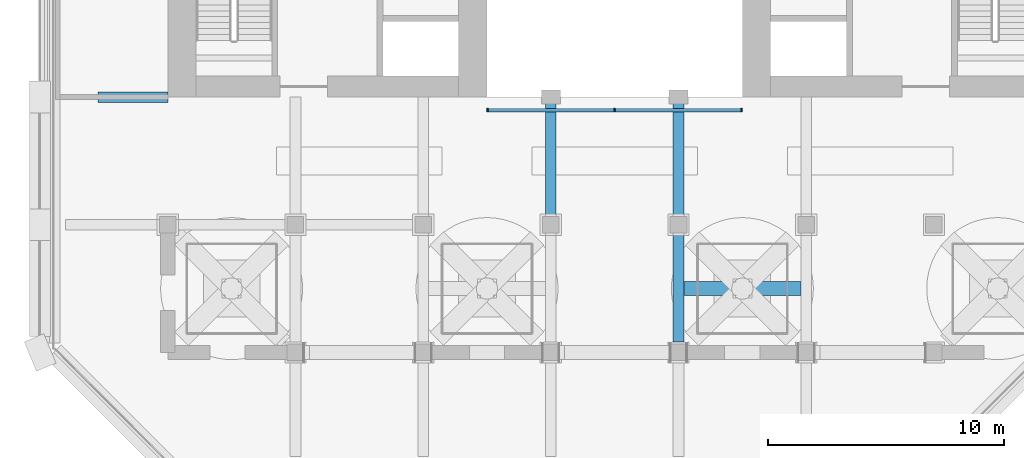
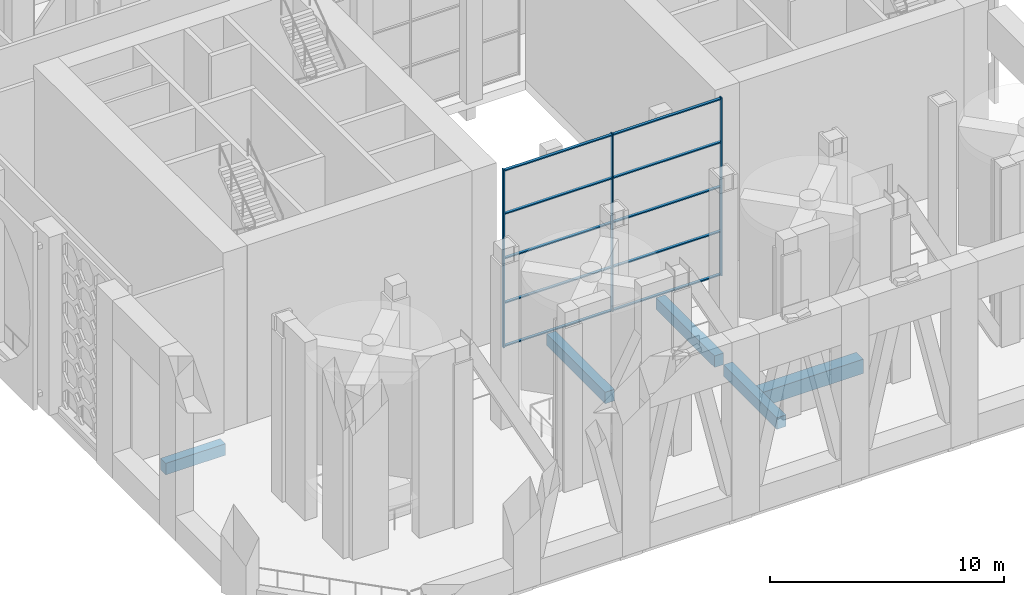
# One storey, part 2 of 28: 13 members, 5 beams, 1 element without a shape of its own.
"""IFC4 building model written with IfcOpenShell, lengths in metres."""

from ifc_helpers import new_model, si_unit, direction, frame, origin, origin_2d, place, context, subcontext, project, spatial, rectangle, extrude, material, material_profile, profile_set, type_object, element, aggregate, save


model = new_model("IFC4")

# Units and contexts
model_context = context("Model", 3, precision=1e-05, world=origin(), true_north=direction((0.0, 1.0)))
body_context = subcontext(model_context, "Body", "Model", "MODEL_VIEW")
ifc_project = project(units=[si_unit("LENGTHUNIT", "METRE"), si_unit("AREAUNIT", "SQUARE_METRE"), si_unit("VOLUMEUNIT", "CUBIC_METRE"), si_unit("PLANEANGLEUNIT", "RADIAN"), si_unit("MASSUNIT", "GRAM", prefix="KILO")], contexts=[model_context])

# Site, building, storey
site_placement = place(None, origin())
site = spatial("IfcSite", under=ifc_project, at=site_placement, CompositionType="ELEMENT")
building_placement = place(site_placement, origin())
building = spatial("IfcBuilding", under=site, at=building_placement, Name="Tabaq Tower and Sports Hall", CompositionType="ELEMENT")
storey_placement = place(building_placement, frame((0.0, 0.0, 233.5)))
storey = spatial("IfcBuildingStorey", under=building, at=storey_placement, Name="L59", CompositionType="ELEMENT", Elevation=233.5)

# Curtain wall, members
ifc_material_1 = material(Name="Aluminium alloy 6063-T6 framed glazing", Category="aluminium")
curtain_wall_type = type_object("IfcCurtainWallType", Name="CW1 curtain wall", PredefinedType="USERDEFINED", material=ifc_material_1)
curtain_wall_placement = place(storey_placement, origin())
curtain_wall = element("IfcCurtainWall", 1, at=curtain_wall_placement, inside=storey, type_object=curtain_wall_type, Name="Atrium glazing L59 S", ObjectType="ATRIUM ENCLOSURE", PredefinedType="USERDEFINED")
ifc_material_2 = material(Name="Aluminium alloy 6063-T6", Category="aluminium")
ifc_material_profile_1 = material_profile(ifc_material_2, rectangle(XDim=0.159912109375, YDim=0.06005859375, at=origin_2d()), Name="MULLION 160x60")
ifc_profile_set_1 = profile_set([ifc_material_profile_1], Name="Aluminium alloy 6063-T6")
member_type_1 = type_object("IfcMemberType", Name="CW1 mullion 160x60", PredefinedType="MULLION", material=ifc_profile_set_1)
member_1_placement = place(storey_placement, frame((18.929931640625, 15.64990234375, 0.0), z_axis=(0.0, 0.0, 1.0), x_axis=(0.0, 1.0, 0.0)))
member_1 = element("IfcMember", 2, at=member_1_placement, type_object=member_type_1, Name="CW1 mullion 1", PredefinedType="MULLION", context=body_context, shape_type="SweptSolid", body=[
    extrude(rectangle(XDim=0.159912109375, YDim=0.06005859375, at=origin_2d()), origin(), (0.0, 0.0, 1.0), 9.300048828125),
])
member_2_placement = place(storey_placement, frame((24.300048828125, 15.64990234375, 0.0), z_axis=(0.0, 0.0, 1.0), x_axis=(0.0, 1.0, 0.0)))
member_2 = element("IfcMember", 3, at=member_2_placement, type_object=member_type_1, Name="CW1 mullion 2", PredefinedType="MULLION", context=body_context, shape_type="SweptSolid", body=[
    extrude(rectangle(XDim=0.159912109375, YDim=0.06005859375, at=origin_2d()), origin(), (0.0, 0.0, 1.0), 9.300048828125),
])
member_3_placement = place(storey_placement, frame((29.669921875, 15.64990234375, 0.0), z_axis=(0.0, 0.0, 1.0), x_axis=(0.0, 1.0, 0.0)))
member_3 = element("IfcMember", 4, at=member_3_placement, type_object=member_type_1, Name="CW1 mullion 3", PredefinedType="MULLION", context=body_context, shape_type="SweptSolid", body=[
    extrude(rectangle(XDim=0.159912109375, YDim=0.06005859375, at=origin_2d()), origin(), (0.0, 0.0, 1.0), 9.300048828125),
])
ifc_material_3 = material(Name="Aluminium alloy 6063-T6", Category="aluminium")
ifc_material_profile_2 = material_profile(ifc_material_3, rectangle(XDim=0.139892578125, YDim=0.06005859375, at=origin_2d()), Name="TRANSOM 140x60")
ifc_profile_set_2 = profile_set([ifc_material_profile_2], Name="Aluminium alloy 6063-T6")
member_type_2 = type_object("IfcMemberType", Name="CW1 transom 140x60", PredefinedType="USERDEFINED", material=ifc_profile_set_2)
member_4_placement = place(storey_placement, frame((18.9599609375, 15.64990234375, 0.070068359375), z_axis=(1.0, 0.0, 0.0), x_axis=(0.0, 1.0, 0.0)))
member_4 = element("IfcMember", 5, at=member_4_placement, type_object=member_type_2, Name="CW1 transom 1.1", ObjectType="TRANSOM", PredefinedType="USERDEFINED", context=body_context, shape_type="SweptSolid", body=[
    extrude(rectangle(XDim=0.139892578125, YDim=0.06005859375, at=origin_2d()), origin(), (0.0, 0.0, 1.0), 5.31005859375),
])
member_5_placement = place(storey_placement, frame((18.9599609375, 15.64990234375, 2.324951171875), z_axis=(1.0, 0.0, 0.0), x_axis=(0.0, 1.0, 0.0)))
member_5 = element("IfcMember", 6, at=member_5_placement, type_object=member_type_2, Name="CW1 transom 1.2", ObjectType="TRANSOM", PredefinedType="USERDEFINED", context=body_context, shape_type="SweptSolid", body=[
    extrude(rectangle(XDim=0.139892578125, YDim=0.06005859375, at=origin_2d()), origin(), (0.0, 0.0, 1.0), 5.31005859375),
])
member_6_placement = place(storey_placement, frame((18.9599609375, 15.64990234375, 4.64990234375), z_axis=(1.0, 0.0, 0.0), x_axis=(0.0, 1.0, 0.0)))
member_6 = element("IfcMember", 7, at=member_6_placement, type_object=member_type_2, Name="CW1 transom 1.3", ObjectType="TRANSOM", PredefinedType="USERDEFINED", context=body_context, shape_type="SweptSolid", body=[
    extrude(rectangle(XDim=0.139892578125, YDim=0.06005859375, at=origin_2d()), origin(), (0.0, 0.0, 1.0), 5.31005859375),
])
member_7_placement = place(storey_placement, frame((18.9599609375, 15.64990234375, 6.97509765625), z_axis=(1.0, 0.0, 0.0), x_axis=(0.0, 1.0, 0.0)))
member_7 = element("IfcMember", 8, at=member_7_placement, type_object=member_type_2, Name="CW1 transom 1.4", ObjectType="TRANSOM", PredefinedType="USERDEFINED", context=body_context, shape_type="SweptSolid", body=[
    extrude(rectangle(XDim=0.139892578125, YDim=0.06005859375, at=origin_2d()), origin(), (0.0, 0.0, 1.0), 5.31005859375),
])
member_8_placement = place(storey_placement, frame((18.9599609375, 15.64990234375, 9.22998046875), z_axis=(1.0, 0.0, 0.0), x_axis=(0.0, 1.0, 0.0)))
member_8 = element("IfcMember", 9, at=member_8_placement, type_object=member_type_2, Name="CW1 transom 1.5", ObjectType="TRANSOM", PredefinedType="USERDEFINED", context=body_context, shape_type="SweptSolid", body=[
    extrude(rectangle(XDim=0.139892578125, YDim=0.06005859375, at=origin_2d()), origin(), (0.0, 0.0, 1.0), 5.31005859375),
])
member_9_placement = place(storey_placement, frame((24.330078125, 15.64990234375, 0.070068359375), z_axis=(1.0, 0.0, 0.0), x_axis=(0.0, 1.0, 0.0)))
member_9 = element("IfcMember", 10, at=member_9_placement, type_object=member_type_2, Name="CW1 transom 2.1", ObjectType="TRANSOM", PredefinedType="USERDEFINED", context=body_context, shape_type="SweptSolid", body=[
    extrude(rectangle(XDim=0.139892578125, YDim=0.06005859375, at=origin_2d()), origin(), (0.0, 0.0, 1.0), 5.309814453125),
])
member_10_placement = place(storey_placement, frame((24.330078125, 15.64990234375, 2.324951171875), z_axis=(1.0, 0.0, 0.0), x_axis=(0.0, 1.0, 0.0)))
member_10 = element("IfcMember", 11, at=member_10_placement, type_object=member_type_2, Name="CW1 transom 2.2", ObjectType="TRANSOM", PredefinedType="USERDEFINED", context=body_context, shape_type="SweptSolid", body=[
    extrude(rectangle(XDim=0.139892578125, YDim=0.06005859375, at=origin_2d()), origin(), (0.0, 0.0, 1.0), 5.309814453125),
])
member_11_placement = place(storey_placement, frame((24.330078125, 15.64990234375, 4.64990234375), z_axis=(1.0, 0.0, 0.0), x_axis=(0.0, 1.0, 0.0)))
member_11 = element("IfcMember", 12, at=member_11_placement, type_object=member_type_2, Name="CW1 transom 2.3", ObjectType="TRANSOM", PredefinedType="USERDEFINED", context=body_context, shape_type="SweptSolid", body=[
    extrude(rectangle(XDim=0.139892578125, YDim=0.06005859375, at=origin_2d()), origin(), (0.0, 0.0, 1.0), 5.309814453125),
])
member_12_placement = place(storey_placement, frame((24.330078125, 15.64990234375, 6.97509765625), z_axis=(1.0, 0.0, 0.0), x_axis=(0.0, 1.0, 0.0)))
member_12 = element("IfcMember", 13, at=member_12_placement, type_object=member_type_2, Name="CW1 transom 2.4", ObjectType="TRANSOM", PredefinedType="USERDEFINED", context=body_context, shape_type="SweptSolid", body=[
    extrude(rectangle(XDim=0.139892578125, YDim=0.06005859375, at=origin_2d()), origin(), (0.0, 0.0, 1.0), 5.309814453125),
])
member_13_placement = place(storey_placement, frame((24.330078125, 15.64990234375, 9.22998046875), z_axis=(1.0, 0.0, 0.0), x_axis=(0.0, 1.0, 0.0)))
member_13 = element("IfcMember", 14, at=member_13_placement, type_object=member_type_2, Name="CW1 transom 2.5", ObjectType="TRANSOM", PredefinedType="USERDEFINED", context=body_context, shape_type="SweptSolid", body=[
    extrude(rectangle(XDim=0.139892578125, YDim=0.06005859375, at=origin_2d()), origin(), (0.0, 0.0, 1.0), 5.309814453125),
])
aggregate(curtain_wall, [member_1, member_2, member_3, member_4, member_5, member_6, member_7, member_8, member_9, member_10, member_11, member_12, member_13])

# Beams
ifc_material_4 = material(Name="Concrete C40/50", Category="concrete")
ifc_material_profile_3 = material_profile(ifc_material_4, rectangle(XDim=0.449951171875, YDim=0.60009765625, at=origin_2d()), Name="CB 450x600")
ifc_profile_set_3 = profile_set([ifc_material_profile_3], Name="Concrete C40/50")
beam_type_1 = type_object("IfcBeamType", Name="PT CANTILEVER BEAM CB 450x600 C40/50", PredefinedType="BEAM", material=ifc_profile_set_3)
beam_1_placement = place(storey_placement, frame((2.449951171875, 16.199951171875, -0.800048828125), z_axis=(1.0, 0.0, 0.0), x_axis=(0.0, 1.0, 0.0)))
element("IfcBeam", 15, at=beam_1_placement, inside=storey, type_object=beam_type_1, Name="Cantilever Beam L59 W3 span 1", PredefinedType="BEAM", context=body_context, shape_type="SweptSolid", body=[
    extrude(rectangle(XDim=0.449951171875, YDim=0.60009765625, at=origin_2d()), origin(), (0.0, 0.0, 1.0), 2.949951171875),
])
beam_2_placement = place(storey_placement, frame((21.60009765625, 11.175048828125, -0.800048828125), z_axis=(0.0, 1.0, 0.0), x_axis=(-1.0, 0.0, 0.0)))
element("IfcBeam", 16, at=beam_2_placement, inside=storey, type_object=beam_type_1, Name="Cantilever Beam L59 S4 span 3", PredefinedType="BEAM", context=body_context, shape_type="SweptSolid", body=[
    extrude(rectangle(XDim=0.449951171875, YDim=0.60009765625, at=origin_2d()), origin(), (0.0, 0.0, 1.0), 5.02490234375),
])
beam_3_placement = place(storey_placement, frame((27.0, 5.85009765625, -0.800048828125), z_axis=(0.0, 1.0, 0.0), x_axis=(-1.0, 0.0, 0.0)))
element("IfcBeam", 17, at=beam_3_placement, inside=storey, type_object=beam_type_1, Name="Cantilever Beam L59 S5 span 2", PredefinedType="BEAM", context=body_context, shape_type="SweptSolid", body=[
    extrude(rectangle(XDim=0.449951171875, YDim=0.60009765625, at=origin_2d()), origin(), (0.0, 0.0, 1.0), 4.574951171875),
])
beam_4_placement = place(storey_placement, frame((27.0, 11.175048828125, -0.800048828125), z_axis=(0.0, 1.0, 0.0), x_axis=(-1.0, 0.0, 0.0)))
element("IfcBeam", 18, at=beam_4_placement, inside=storey, type_object=beam_type_1, Name="Cantilever Beam L59 S5 span 3", PredefinedType="BEAM", context=body_context, shape_type="SweptSolid", body=[
    extrude(rectangle(XDim=0.449951171875, YDim=0.60009765625, at=origin_2d()), origin(), (0.0, 0.0, 1.0), 5.02490234375),
])
ifc_material_5 = material(Name="Concrete C40/50", Category="concrete")
ifc_material_profile_4 = material_profile(ifc_material_5, rectangle(XDim=0.60009765625, YDim=0.75, at=origin_2d()), Name="TB 600x750")
ifc_profile_set_4 = profile_set([ifc_material_profile_4], Name="Concrete C40/50")
beam_type_2 = type_object("IfcBeamType", Name="PT TRIMMER BEAM TB 600x750 C40/50", PredefinedType="BEAM", material=ifc_profile_set_4)
beam_5_placement = place(storey_placement, frame((27.22509765625, 8.10009765625, -0.875), z_axis=(1.0, 0.0, 0.0), x_axis=(0.0, 1.0, 0.0)))
element("IfcBeam", 19, at=beam_5_placement, inside=storey, type_object=beam_type_2, Name="Turbine Trimmer Beam 3", PredefinedType="BEAM", context=body_context, shape_type="SweptSolid", body=[
    extrude(rectangle(XDim=0.60009765625, YDim=0.75, at=origin_2d()), origin(), (0.0, 0.0, 1.0), 4.949951171875),
])

save(model, "model.ifc")
